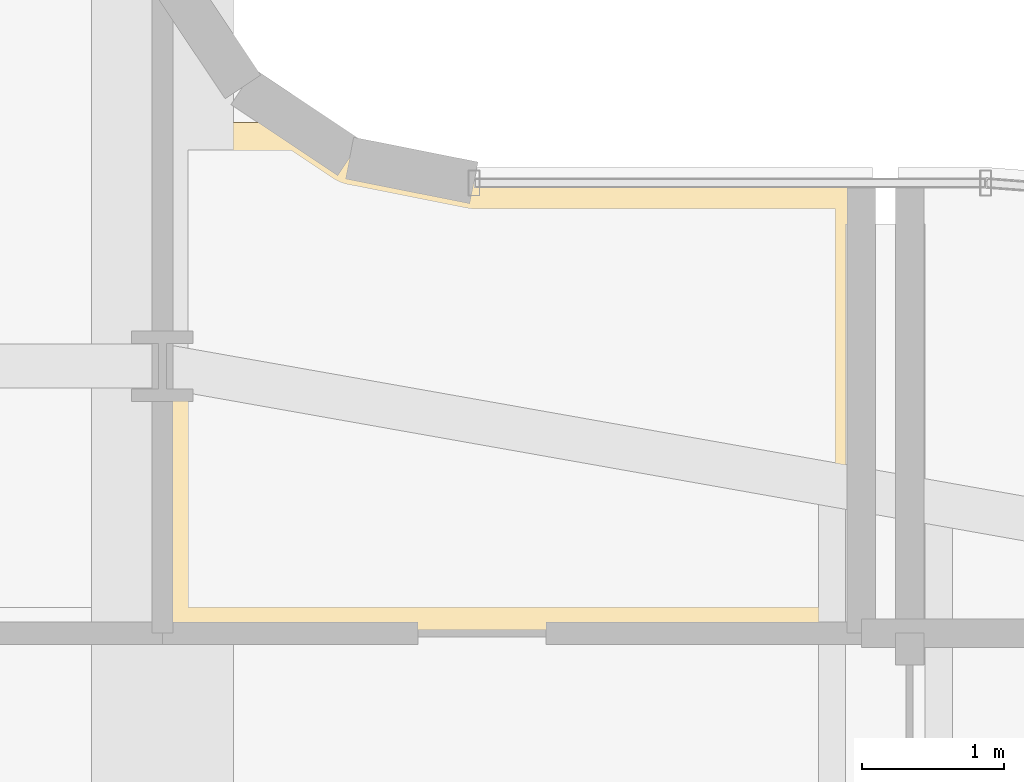
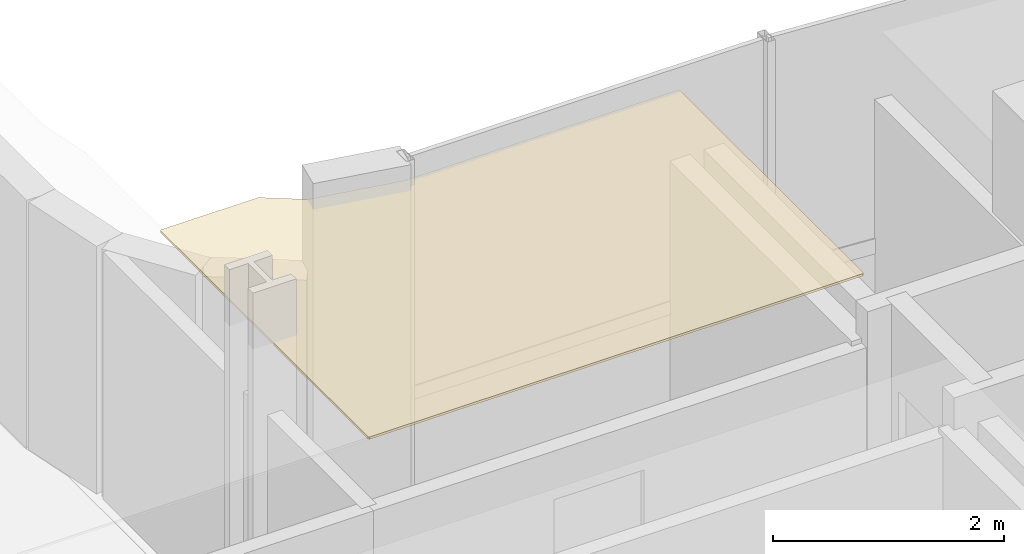
# One storey, part 37 of 37: 1 covering.
"""IFC4 building model written with IfcOpenShell, lengths in metres."""

from ifc_helpers import new_model, si_unit, direction, frame, origin, place, context, subcontext, project, spatial, polyline, outline, extrude, material, layer, layer_set, type_object, element, save


model = new_model("IFC4")

# Units and contexts
model_context = context("Model", 3, precision=1e-05, world=origin(), true_north=direction((0.0, 1.0)))
body_context = subcontext(model_context, "Body", "Model", "MODEL_VIEW")
ifc_project = project(units=[si_unit("LENGTHUNIT", "METRE"), si_unit("AREAUNIT", "SQUARE_METRE"), si_unit("VOLUMEUNIT", "CUBIC_METRE"), si_unit("PLANEANGLEUNIT", "RADIAN"), si_unit("MASSUNIT", "GRAM", prefix="KILO")], contexts=[model_context])

# Site, building, storey
site_placement = place(None, origin())
site = spatial("IfcSite", under=ifc_project, at=site_placement, CompositionType="ELEMENT")
building_placement = place(site_placement, origin())
building = spatial("IfcBuilding", under=site, at=building_placement, Name="Valdorenza Pilgrim Sanctuary Tower", CompositionType="ELEMENT")
storey_placement = place(building_placement, frame((0.0, 0.0, 188.39990234375)))
storey = spatial("IfcBuildingStorey", under=building, at=storey_placement, Name="L48", CompositionType="ELEMENT", Elevation=188.39990234375)

# Covering
ifc_material = material(Name="Micro-perforated acoustic mineral ceiling tile", Category="gypsum")
ifc_layer = layer(ifc_material, 0.02490234375, Name="Micro-perforated acoustic mineral ceiling tile")
ifc_layer_set = layer_set([ifc_layer], Name="Micro-perforated acoustic mineral ceiling tile")
covering_type = type_object("IfcCoveringType", Name="COV-CLG-ACU", PredefinedType="CEILING", material=ifc_layer_set)
covering_placement = place(storey_placement, frame((0.0, 0.0, 3.330078125)))
element("IfcCovering", 1, at=covering_placement, inside=storey, type_object=covering_type, Name="L48 East Contemplation Salon L48 Acoustic Ceiling", PredefinedType="CEILING", context=body_context, shape_type="SweptSolid", body=[
    extrude(outline(polyline([(8.501953125, 12.905029296875), (8.50048828125, 12.905029296875), (8.4990234375, 12.9052734375), (8.49755859375, 12.905517578125), (8.496337890625, 12.906005859375), (8.494873046875, 12.90673828125), (8.49365234375, 12.907470703125), (8.492431640625, 12.908447265625), (8.491455078125, 12.909423828125), (8.490478515625, 12.910400390625), (8.489501953125, 12.91162109375), (8.48876953125, 12.912841796875), (8.488037109375, 12.914306640625), (8.487548828125, 12.91552734375), (8.4873046875, 12.9169921875), (8.487060546875, 12.91845703125), (8.487060546875, 12.919921875), (8.487060546875, 16.5), (8.487060546875, 16.50146484375), (8.4873046875, 16.5029296875), (8.487548828125, 16.50439453125), (8.488037109375, 16.505615234375), (8.48876953125, 16.507080078125), (8.489501953125, 16.50830078125), (8.490478515625, 16.509521484375), (8.491455078125, 16.510498046875), (8.492431640625, 16.51171875), (8.49365234375, 16.512451171875), (8.494873046875, 16.51318359375), (8.496337890625, 16.513916015625), (8.49755859375, 16.514404296875), (8.4990234375, 16.5146484375), (8.50048828125, 16.514892578125), (8.501953125, 16.514892578125), (9.464599609375, 16.514892578125), (9.466064453125, 16.514892578125), (9.467529296875, 16.5146484375), (9.468994140625, 16.514404296875), (9.470458984375, 16.513916015625), (9.4716796875, 16.51318359375), (9.472900390625, 16.512451171875), (9.8076171875, 16.2890625), (9.81591796875, 16.283935546875), (9.82421875, 16.280029296875), (9.8330078125, 16.27685546875), (9.84228515625, 16.274658203125), (10.68505859375, 16.10693359375), (10.694580078125, 16.10546875), (10.704345703125, 16.10498046875), (13.419921875, 16.10498046875), (13.42138671875, 16.10498046875), (13.4228515625, 16.104736328125), (13.42431640625, 16.1044921875), (13.42578125, 16.10400390625), (13.427001953125, 16.103271484375), (13.42822265625, 16.1025390625), (13.429443359375, 16.1015625), (13.4306640625, 16.1005859375), (13.431640625, 16.099609375), (13.4326171875, 16.098388671875), (13.43310546875, 16.09716796875), (13.433837890625, 16.095703125), (13.434326171875, 16.094482421875), (13.434814453125, 16.093017578125), (13.434814453125, 16.091552734375), (13.43505859375, 16.090087890625), (13.43505859375, 12.919921875), (13.434814453125, 12.91845703125), (13.434814453125, 12.9169921875), (13.434326171875, 12.91552734375), (13.433837890625, 12.914306640625), (13.43310546875, 12.912841796875), (13.4326171875, 12.91162109375), (13.431640625, 12.910400390625), (13.4306640625, 12.909423828125), (13.429443359375, 12.908447265625), (13.42822265625, 12.907470703125), (13.427001953125, 12.90673828125), (13.42578125, 12.906005859375), (13.42431640625, 12.905517578125), (13.4228515625, 12.9052734375), (13.42138671875, 12.905029296875), (13.419921875, 12.905029296875), (8.501953125, 12.905029296875)])), origin(), (0.0, 0.0, 1.0), 0.02490234375),
])

save(model, "model.ifc")
